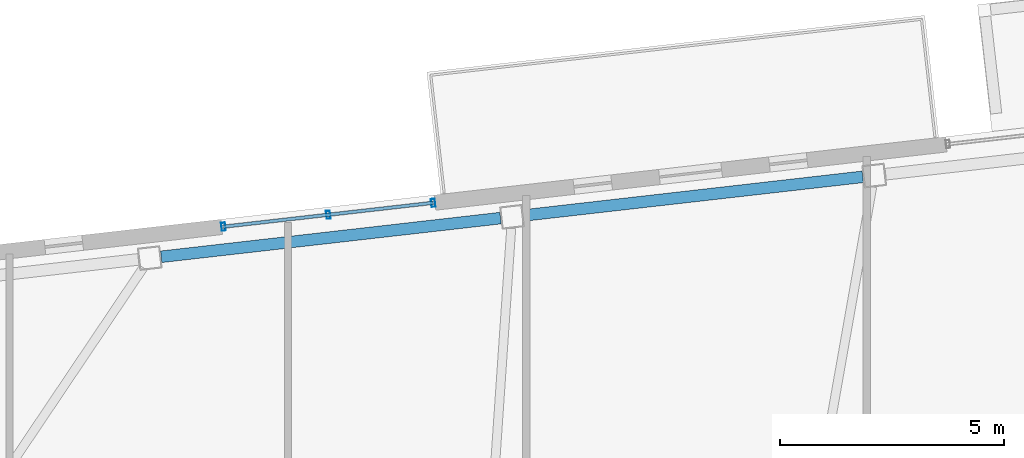
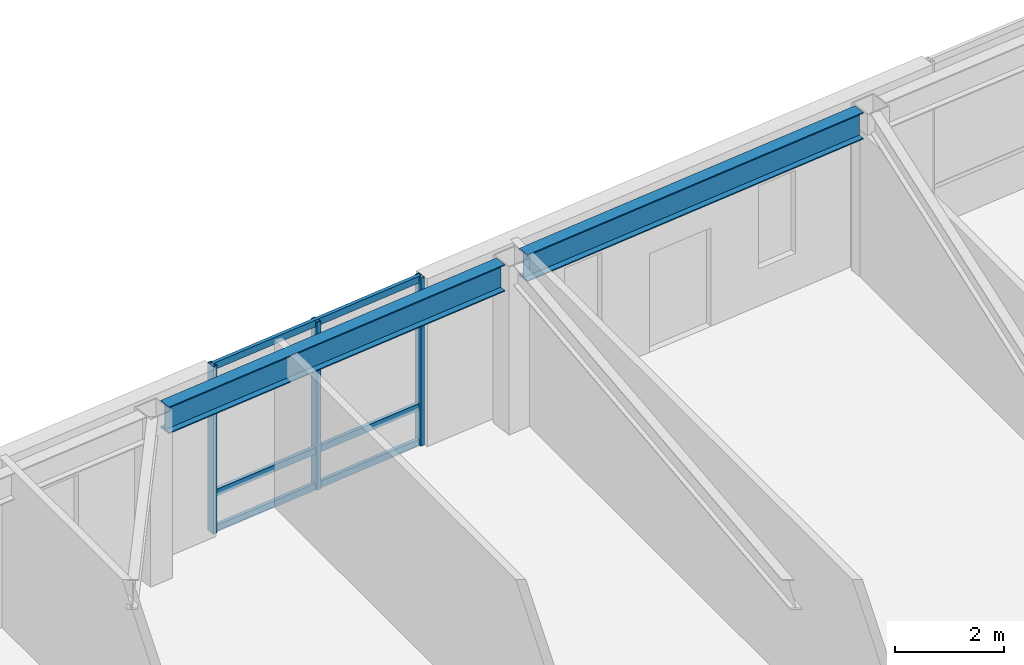
# One storey, part 8 of 20: 6 members, 2 beams, 1 element without a shape of its own.
"""IFC4 building model written with IfcOpenShell, lengths in metres."""

from ifc_helpers import new_model, si_unit, direction, frame, origin, origin_2d, place, context, subcontext, project, spatial, hollow_rectangle, i_section, extrude, material, layer, layer_set, material_profile, profile_set, type_object, element, aggregate, save


model = new_model("IFC4")

# Units and contexts
model_context = context("Model", 3, precision=1e-05, world=origin(), true_north=direction((0.0, 1.0)))
body_context = subcontext(model_context, "Body", "Model", "MODEL_VIEW")
ifc_project = project(units=[si_unit("LENGTHUNIT", "METRE"), si_unit("AREAUNIT", "SQUARE_METRE"), si_unit("VOLUMEUNIT", "CUBIC_METRE"), si_unit("PLANEANGLEUNIT", "RADIAN"), si_unit("MASSUNIT", "GRAM", prefix="KILO")], contexts=[model_context])

# Site, building, storey
site_placement = place(None, origin())
site = spatial("IfcSite", under=ifc_project, at=site_placement, CompositionType="ELEMENT")
building_placement = place(site_placement, origin())
building = spatial("IfcBuilding", under=site, at=building_placement, Name="Tavrogorsk Clinical Tower", CompositionType="ELEMENT")
storey_placement = place(building_placement, frame((0.0, 0.0, 251.0)))
storey = spatial("IfcBuildingStorey", under=building, at=storey_placement, Name="L58", CompositionType="ELEMENT", Elevation=251.0)

# Curtain wall, members
ifc_material_1 = material(Name="Anodised aluminium and triple IGU glazing", Category="aluminium")
ifc_layer = layer(ifc_material_1, 0.179931640625)
ifc_layer_set = layer_set([ifc_layer], Name="Anodised aluminium and triple IGU glazing")
curtain_wall_type = type_object("IfcCurtainWallType", Name="CW2_NorthSlot", PredefinedType="NOTDEFINED", material=ifc_layer_set)
curtain_wall_placement = place(storey_placement, origin())
curtain_wall = element("IfcCurtainWall", 1, at=curtain_wall_placement, inside=storey, type_object=curtain_wall_type, Name="L58 Curtain Wall CW-L58-N-SLOT-1", PredefinedType="NOTDEFINED")
ifc_material_2 = material(Name="Anodised aluminium alloy AW-6060", Category="aluminium")
ifc_material_profile_1 = material_profile(ifc_material_2, hollow_rectangle(XDim=0.090087890625, YDim=0.179931640625, WallThickness=0.00634765625, at=origin_2d()), Name="RHS-180x90x6.3")
ifc_profile_set_1 = profile_set([ifc_material_profile_1], Name="Anodised aluminium alloy AW-6060")
member_type_1 = type_object("IfcMemberType", Name="CwMullion_180x90", PredefinedType="MULLION", material=ifc_profile_set_1)
member_1_placement = place(storey_placement, frame((-10.781982421875, 25.42529296875, 0.0), z_axis=(0.0, 0.0, 1.0), x_axis=(-0.993571855603, -0.11320321441, 0.0)))
member_1 = element("IfcMember", 2, at=member_1_placement, type_object=member_type_1, Name="CW-L58-N-SLOT-1 Mullion 1", PredefinedType="MULLION", context=body_context, shape_type="SweptSolid", body=[
    extrude(hollow_rectangle(XDim=0.090087890625, YDim=0.179931640625, WallThickness=0.00634765625, at=origin_2d()), origin(), (0.0, 0.0, 1.0), 3.739990234375),
])
member_2_placement = place(storey_placement, frame((-13.1259765625, 25.158203125, 0.0), z_axis=(0.0, 0.0, 1.0), x_axis=(-0.993571855603, -0.11320321441, 0.0)))
member_2 = element("IfcMember", 3, at=member_2_placement, type_object=member_type_1, Name="CW-L58-N-SLOT-1 Mullion 2", PredefinedType="MULLION", context=body_context, shape_type="SweptSolid", body=[
    extrude(hollow_rectangle(XDim=0.090087890625, YDim=0.179931640625, WallThickness=0.00634765625, at=origin_2d()), origin(), (0.0, 0.0, 1.0), 3.739990234375),
])
member_3_placement = place(storey_placement, frame((-15.4697265625, 24.89111328125, 0.0), z_axis=(0.0, 0.0, 1.0), x_axis=(-0.993571855603, -0.11320321441, 0.0)))
member_3 = element("IfcMember", 4, at=member_3_placement, type_object=member_type_1, Name="CW-L58-N-SLOT-1 Mullion 3", PredefinedType="MULLION", context=body_context, shape_type="SweptSolid", body=[
    extrude(hollow_rectangle(XDim=0.090087890625, YDim=0.179931640625, WallThickness=0.00634765625, at=origin_2d()), origin(), (0.0, 0.0, 1.0), 3.739990234375),
])
ifc_material_3 = material(Name="Anodised aluminium alloy AW-6060", Category="aluminium")
ifc_material_profile_2 = material_profile(ifc_material_3, hollow_rectangle(XDim=0.074951171875, YDim=0.14990234375, WallThickness=0.0048828125, at=origin_2d()), Name="RHS-150x75x5")
ifc_profile_set_2 = profile_set([ifc_material_profile_2], Name="Anodised aluminium alloy AW-6060")
member_type_2 = type_object("IfcMemberType", Name="CwTransom_150x75", PredefinedType="USERDEFINED", material=ifc_profile_set_2)
member_4_placement = place(storey_placement, frame((-10.781982421875, 25.42529296875, 0.050048828125), z_axis=(-0.993569979218, -0.113219682023, 0.0), x_axis=(0.113219682023, -0.993569979218, 0.0)))
member_4 = element("IfcMember", 5, at=member_4_placement, type_object=member_type_2, Name="CW-L58-N-SLOT-1 Transom 1", ObjectType="TRANSOM", PredefinedType="USERDEFINED", context=body_context, shape_type="SweptSolid", body=[
    extrude(hollow_rectangle(XDim=0.074951171875, YDim=0.14990234375, WallThickness=0.0048828125, at=origin_2d()), origin(), (0.0, 0.0, 1.0), 4.718017578125),
])
member_5_placement = place(storey_placement, frame((-10.781982421875, 25.42529296875, 0.85009765625), z_axis=(-0.993569979218, -0.113219682023, 0.0), x_axis=(0.113219682023, -0.993569979218, 0.0)))
member_5 = element("IfcMember", 6, at=member_5_placement, type_object=member_type_2, Name="CW-L58-N-SLOT-1 Transom 2", ObjectType="TRANSOM", PredefinedType="USERDEFINED", context=body_context, shape_type="SweptSolid", body=[
    extrude(hollow_rectangle(XDim=0.074951171875, YDim=0.14990234375, WallThickness=0.0048828125, at=origin_2d()), origin(), (0.0, 0.0, 1.0), 4.718017578125),
])
member_6_placement = place(storey_placement, frame((-10.781982421875, 25.42529296875, 3.68994140625), z_axis=(-0.993569979218, -0.113219682023, 0.0), x_axis=(0.113219682023, -0.993569979218, 0.0)))
member_6 = element("IfcMember", 7, at=member_6_placement, type_object=member_type_2, Name="CW-L58-N-SLOT-1 Transom 3", ObjectType="TRANSOM", PredefinedType="USERDEFINED", context=body_context, shape_type="SweptSolid", body=[
    extrude(hollow_rectangle(XDim=0.074951171875, YDim=0.14990234375, WallThickness=0.0048828125, at=origin_2d()), origin(), (0.0, 0.0, 1.0), 4.718017578125),
])
aggregate(curtain_wall, [member_1, member_2, member_3, member_4, member_5, member_6])

# Beams
ifc_material_4 = material(Name="Structural steel S390", Category="steel")
ifc_material_profile_3 = material_profile(ifc_material_4, i_section(OverallWidth=0.260009765625, OverallDepth=0.60009765625, WebThickness=0.014892578125, FlangeThickness=0.02392578125, at=origin_2d()), Name="B-600x260x15x24")
ifc_profile_set_3 = profile_set([ifc_material_profile_3], Name="Structural steel S390")
beam_type = type_object("IfcBeamType", Name="SpandrelBeam_B600", PredefinedType="SPANDREL", material=ifc_profile_set_3)
for number, where, z_axis, x_axis, name in (
    (8, (-1.18017578125, 26.006103515625, 3.43994140625), (-0.993568501687, -0.113232647478, 0.0), (0.113232647478, -0.993568501687, 0.0), "L58 Perimeter Spandrel N4-N5"),
    (9, (-9.2763671875, 25.08349609375, 3.43994140625), (-0.993572099834, -0.113201070804, 0.0), (0.113201070804, -0.993572099834, 0.0), "L58 Perimeter Spandrel N5-N6"),
):
    element("IfcBeam", number, at=place(storey_placement, frame(where, z_axis=z_axis, x_axis=x_axis)), inside=storey, type_object=beam_type, Name=name, PredefinedType="SPANDREL", context=body_context, shape_type="SweptSolid", body=[
        extrude(i_section(OverallWidth=0.260009765625, OverallDepth=0.60009765625, WebThickness=0.014892578125, FlangeThickness=0.02392578125, at=origin_2d()), origin(), (0.0, 0.0, 1.0), 7.632568359375),
    ])

save(model, "model.ifc")
